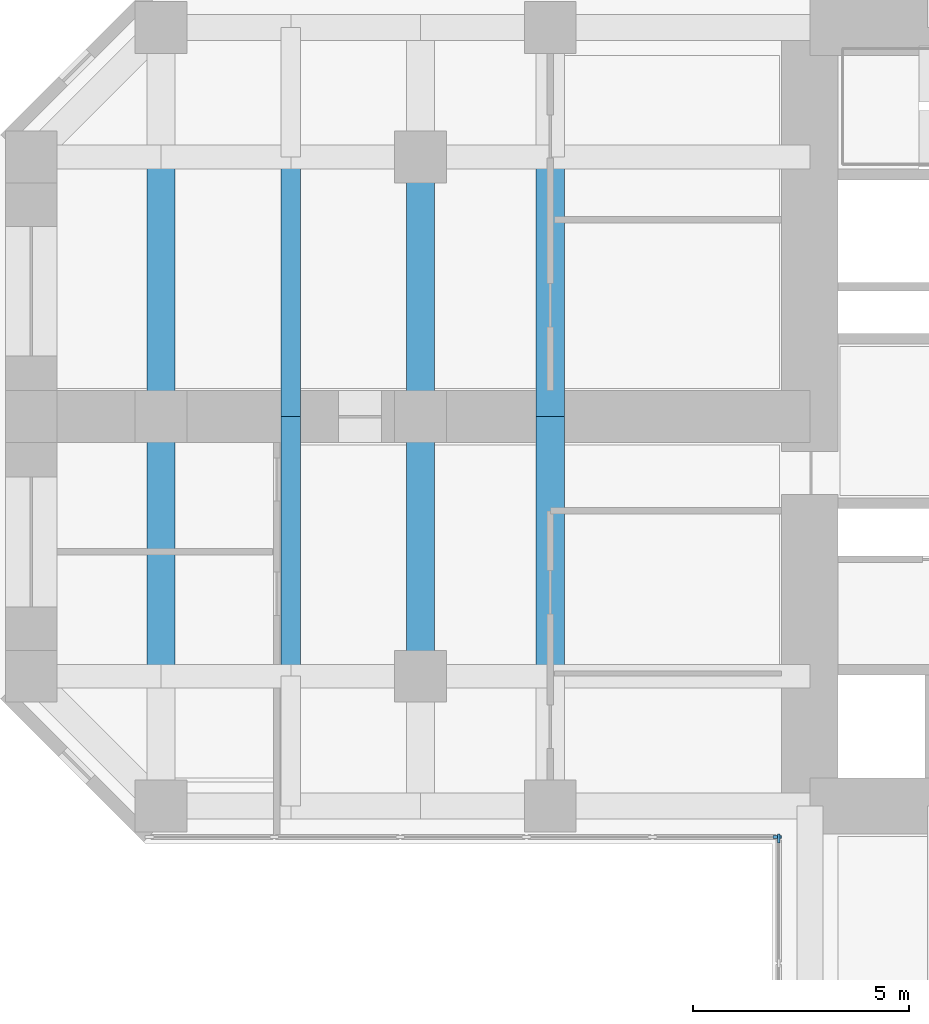
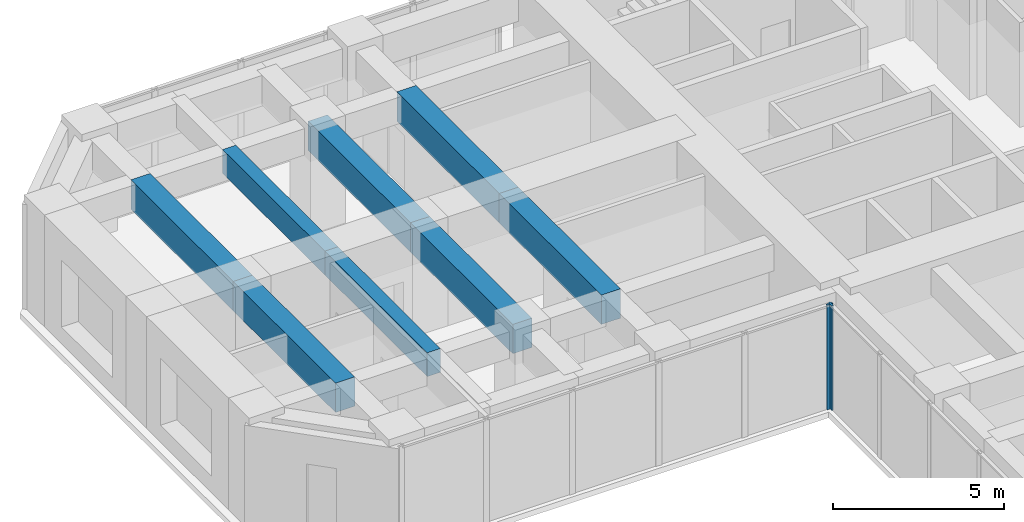
# One storey, part 3 of 13: 8 beams, 2 members, 2 elements without a shape of their own.
"""IFC4 building model written with IfcOpenShell, lengths in metres."""

from ifc_helpers import new_model, si_unit, direction, frame, origin, origin_2d, place, context, subcontext, project, spatial, rectangle, extrude, material, material_profile, profile_set, type_object, element, aggregate, save


model = new_model("IFC4")

# Units and contexts
model_context = context("Model", 3, precision=1e-05, world=origin(), true_north=direction((0.0, 1.0)))
body_context = subcontext(model_context, "Body", "Model", "MODEL_VIEW")
ifc_project = project(units=[si_unit("LENGTHUNIT", "METRE"), si_unit("AREAUNIT", "SQUARE_METRE"), si_unit("VOLUMEUNIT", "CUBIC_METRE"), si_unit("PLANEANGLEUNIT", "RADIAN"), si_unit("MASSUNIT", "GRAM", prefix="KILO")], contexts=[model_context])

# Site, building, storey
site_placement = place(None, origin())
site = spatial("IfcSite", under=ifc_project, at=site_placement, CompositionType="ELEMENT")
building_placement = place(site_placement, origin())
building = spatial("IfcBuilding", under=site, at=building_placement, Name="Torre Cruceta", CompositionType="ELEMENT")
storey_placement = place(building_placement, frame((0.0, 0.0, 91.5)))
storey = spatial("IfcBuildingStorey", under=building, at=storey_placement, Name="L22", CompositionType="ELEMENT", Elevation=91.5)

# Beams
ifc_material_1 = material(Name="Concrete G60 (fck 60 MPa)", Category="concrete")
ifc_material_profile_1 = material_profile(ifc_material_1, rectangle(XDim=0.64990234375, YDim=1.050048828125, at=origin_2d()), Name="RC 650X1050")
ifc_profile_set_1 = profile_set([ifc_material_profile_1], Name="Concrete G60 (fck 60 MPa)")
beam_type_1 = type_object("IfcBeamType", Name="CROSS BEAM RC 650X1050", PredefinedType="BEAM", material=ifc_profile_set_1)
for number, where, z_axis, x_axis, name in (
    (1, (-15.0, 6.0, 3.22509765625), (0.0, -1.0, 0.0), (1.0, 0.0, 0.0), "GB3 L22 W cross15 2"),
    (2, (-15.0, 0.0, 3.22509765625), (0.0, -1.0, 0.0), (1.0, 0.0, 0.0), "GB3 L22 W cross15 3"),
    (3, (-18.0, 6.0, 3.22509765625), (0.0, -1.0, 0.0), (1.0, 0.0, 0.0), "GB3 L22 W cross18 2"),
    (4, (-18.0, 0.0, 3.22509765625), (0.0, -1.0, 0.0), (1.0, 0.0, 0.0), "GB3 L22 W cross18 3"),
    (5, (-24.0, 6.0, 3.22509765625), (0.0, -1.0, 0.0), (1.0, 0.0, 0.0), "GB3 L22 W cross24 2"),
    (6, (-24.0, 0.0, 3.22509765625), (0.0, -1.0, 0.0), (1.0, 0.0, 0.0), "GB3 L22 W cross24 3"),
):
    element("IfcBeam", number, at=place(storey_placement, frame(where, z_axis=z_axis, x_axis=x_axis)), inside=storey, type_object=beam_type_1, Name=name, PredefinedType="BEAM", context=body_context, shape_type="SweptSolid", body=[
        extrude(rectangle(XDim=0.64990234375, YDim=1.050048828125, at=origin_2d()), origin(), (0.0, 0.0, 1.0), 6.0),
    ])

# Curtain wall, member
ifc_material_2 = material(Name="Aluminium unitised curtain wall", Category="aluminium")
curtain_wall_type = type_object("IfcCurtainWallType", Name="CURTAIN WALL CW-A OFFICE LOW RISE", PredefinedType="USERDEFINED", material=ifc_material_2)
curtain_wall_1_placement = place(storey_placement, origin())
curtain_wall_1 = element("IfcCurtainWall", 7, at=curtain_wall_1_placement, inside=storey, type_object=curtain_wall_type, Name="CW-A L22 W side 14", ObjectType="UNITISED", PredefinedType="USERDEFINED")
ifc_material_3 = material(Name="Aluminium mullion", Category="aluminium")
ifc_material_profile_2 = material_profile(ifc_material_3, rectangle(XDim=0.06494140625, YDim=0.199951171875, at=origin_2d()), Name="AL 65X200")
ifc_profile_set_2 = profile_set([ifc_material_profile_2], Name="Aluminium mullion")
member_type = type_object("IfcMemberType", Name="CW-A MULLION 65X200", PredefinedType="MULLION", material=ifc_profile_set_2)
member_1_placement = place(storey_placement, frame((-9.75244140625, -9.719970703125, 0.0), z_axis=(0.0, 0.0, 1.0), x_axis=(0.0, 1.0, 0.0)))
member_1 = element("IfcMember", 8, at=member_1_placement, type_object=member_type, Name="CW-A mullion 6", PredefinedType="MULLION", context=body_context, shape_type="SweptSolid", body=[
    extrude(rectangle(XDim=0.06494140625, YDim=0.199951171875, at=origin_2d()), origin(), (0.0, 0.0, 1.0), 3.75),
])
aggregate(curtain_wall_1, [member_1])

curtain_wall_2_placement = place(storey_placement, origin())
curtain_wall_2 = element("IfcCurtainWall", 9, at=curtain_wall_2_placement, inside=storey, type_object=curtain_wall_type, Name="CW-A L22 S side 15", ObjectType="UNITISED", PredefinedType="USERDEFINED")
member_2_placement = place(storey_placement, frame((-9.719970703125, -9.75244140625, 0.0), z_axis=(0.0, 0.0, 1.0), x_axis=(1.0, 0.0, 0.0)))
member_2 = element("IfcMember", 10, at=member_2_placement, type_object=member_type, Name="CW-A mullion 1", PredefinedType="MULLION", context=body_context, shape_type="SweptSolid", body=[
    extrude(rectangle(XDim=0.06494140625, YDim=0.199951171875, at=origin_2d()), origin(), (0.0, 0.0, 1.0), 3.75),
])
aggregate(curtain_wall_2, [member_2])

# Beams
ifc_material_4 = material(Name="Concrete G60 (fck 60 MPa)", Category="concrete")
ifc_material_profile_3 = material_profile(ifc_material_4, rectangle(XDim=0.449951171875, YDim=0.85009765625, at=origin_2d()), Name="RC 450X850")
ifc_profile_set_3 = profile_set([ifc_material_profile_3], Name="Concrete G60 (fck 60 MPa)")
beam_type_2 = type_object("IfcBeamType", Name="SECONDARY BEAM RC 450X850", PredefinedType="JOIST", material=ifc_profile_set_3)
for number, where, z_axis, x_axis, name in (
    (11, (-21.0, 6.0, 3.324951171875), (0.0, -1.0, 0.0), (1.0, 0.0, 0.0), "JB4 L22 W sec21 2"),
    (12, (-21.0, 0.0, 3.324951171875), (0.0, -1.0, 0.0), (1.0, 0.0, 0.0), "JB4 L22 W sec21 3"),
):
    element("IfcBeam", number, at=place(storey_placement, frame(where, z_axis=z_axis, x_axis=x_axis)), inside=storey, type_object=beam_type_2, Name=name, PredefinedType="JOIST", context=body_context, shape_type="SweptSolid", body=[
        extrude(rectangle(XDim=0.449951171875, YDim=0.85009765625, at=origin_2d()), origin(), (0.0, 0.0, 1.0), 6.0),
    ])

save(model, "model.ifc")
